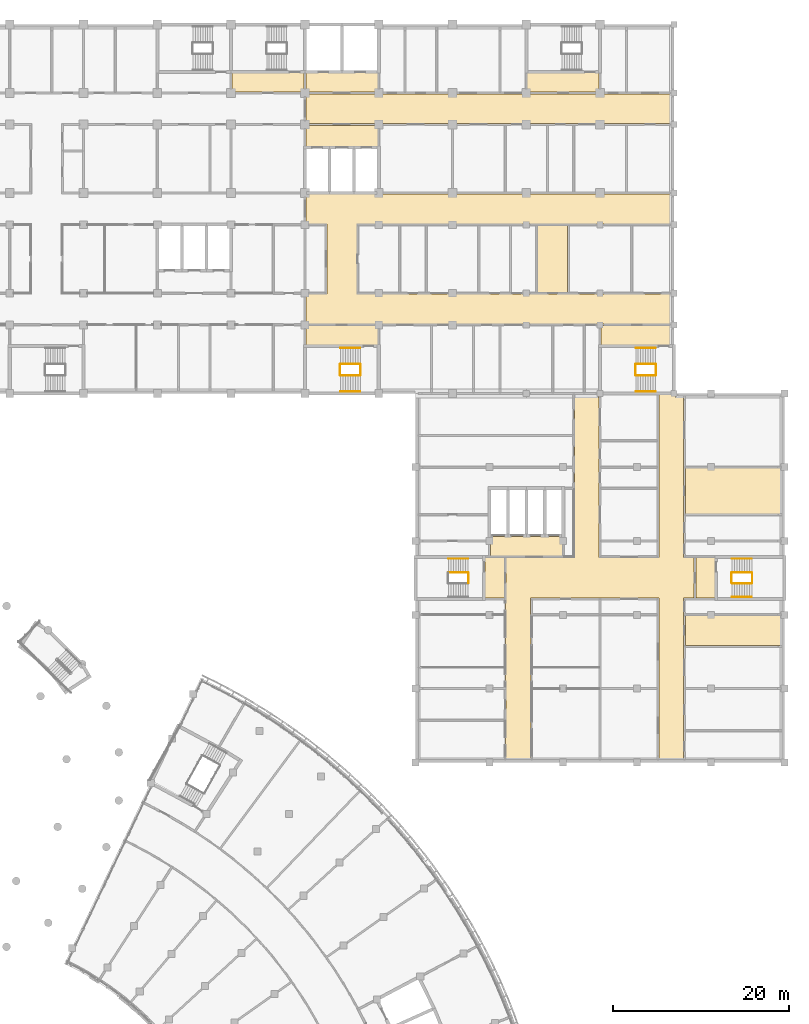
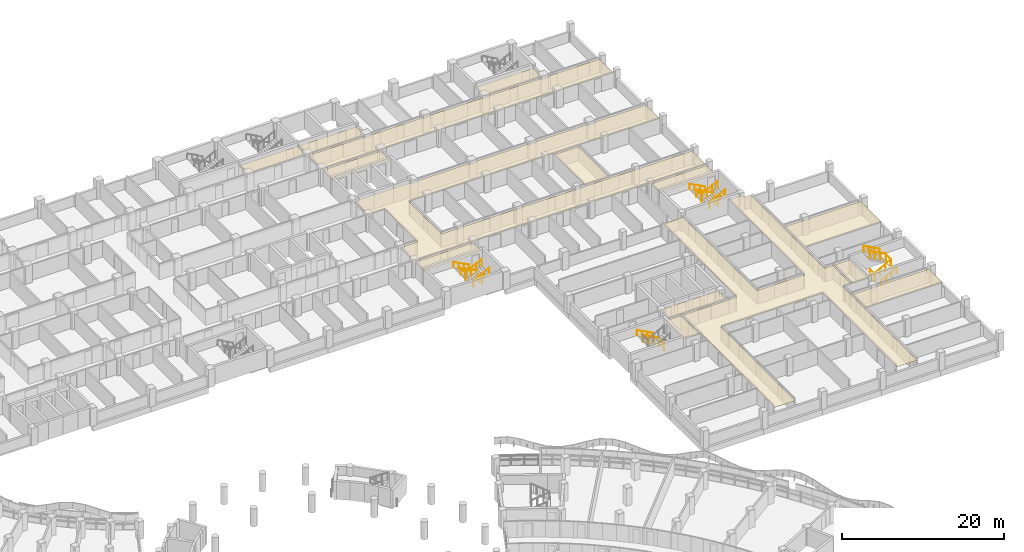
# One storey, part 87 of 89: 21 railings, 15 coverings.
"""IFC4 building model written with IfcOpenShell, lengths in metres."""

import ifcopenshell
import ifcopenshell.guid

model = None  # the IFC model being written
_history = None  # IfcOwnerHistory: only IFC2X3 demands one
_inside = {}  # id of a spatial element -> (the spatial element, [elements in it])
_under = {}  # id of a project, library or spatial element -> (it, [spatial elements below it])
_declared = {}  # id of a project -> (the project, [libraries it declares])
_typed = {}  # id of a type object -> (the type object, [elements of that type])
_made_of = {}  # id of a material, layer set ... -> (it, [elements and type objects made of it])


def new_model(schema):
    """Start an empty IFC model of exactly this schema.

    Asked for "IFC4X3", IfcOpenShell would pick the latest addendum, in which some entities
    have other attributes; the version numbers below select the first issue.
    IFC2X3 requires an IfcOwnerHistory on every rooted entity: one is made here for all.
    """
    global model, _history
    if schema == "IFC4X3":
        model = ifcopenshell.file(schema_version=(4, 3, 0, 0))
    else:
        model = ifcopenshell.file(schema=schema)
    _inside.clear()
    _under.clear()
    _declared.clear()
    _typed.clear()
    _made_of.clear()
    _history = None
    if model.schema == "IFC2X3":
        org = make("IfcOrganization", Name="unknown")
        user = make(
            "IfcPersonAndOrganization",
            ThePerson=make("IfcPerson", FamilyName="unknown"),
            TheOrganization=org,
        )
        app = make(
            "IfcApplication",
            ApplicationDeveloper=org,
            Version="unknown",
            ApplicationFullName="unknown",
            ApplicationIdentifier="unknown",
        )
        _history = make(
            "IfcOwnerHistory",
            OwningUser=user,
            OwningApplication=app,
            ChangeAction="ADDED",
            CreationDate=0,
        )
    return model


def make(cls, **values):
    """One entity of the class cls with the attributes given. An attribute that is None is left unset."""
    return model.create_entity(
        cls, **{name: value for name, value in values.items() if value is not None}
    )


def rooted(cls, **values):
    """An entity with a GlobalId (a new one), such as an element, a storey or a relation."""
    return make(cls, GlobalId=ifcopenshell.guid.new(), OwnerHistory=_history, **values)


def si_unit(unit_type, name, prefix=None):
    """IfcSIUnit, for example si_unit("LENGTHUNIT", "METRE", prefix="MILLI")."""
    return make("IfcSIUnit", UnitType=unit_type, Prefix=prefix, Name=name)


def assignment(units):
    """IfcUnitAssignment: the units of a project."""
    return None if units is None else make("IfcUnitAssignment", Units=units)


def point(xyz):
    """IfcCartesianPoint."""
    return None if xyz is None else make("IfcCartesianPoint", Coordinates=xyz)


def direction(xyz):
    """IfcDirection."""
    return None if xyz is None else make("IfcDirection", DirectionRatios=xyz)


def frame(location, z_axis=None, x_axis=None):
    """IfcAxis2Placement3D, a coordinate frame: its origin and axes. An axis left out is left unset."""
    return make(
        "IfcAxis2Placement3D",
        Location=point(location),
        Axis=direction(z_axis),
        RefDirection=direction(x_axis),
    )


def frame_2d(location, x_axis=None):
    """IfcAxis2Placement2D, a coordinate frame in the plane: its origin and x axis."""
    return make(
        "IfcAxis2Placement2D", Location=point(location), RefDirection=direction(x_axis)
    )


def origin():
    """The frame at (0, 0, 0) with its axes left unset."""
    return frame((0.0, 0.0, 0.0))


def origin_2d():
    """The frame at (0, 0) in the plane with its x axis left unset."""
    return frame_2d((0.0, 0.0))


def place(relative_to, where):
    """IfcLocalPlacement: puts the frame where relative to a parent placement (None: the world)."""
    return make(
        "IfcLocalPlacement", PlacementRelTo=relative_to, RelativePlacement=where
    )


def context(
    kind, dimensions, precision=None, world=None, true_north=None, identifier=None
):
    """IfcGeometricRepresentationContext, for example the 3D "Model" context."""
    return make(
        "IfcGeometricRepresentationContext",
        ContextIdentifier=identifier,
        ContextType=kind,
        CoordinateSpaceDimension=dimensions,
        Precision=precision,
        WorldCoordinateSystem=world,
        TrueNorth=true_north,
    )


def subcontext(parent, identifier, kind, view, scale=None):
    """IfcGeometricRepresentationSubContext, for example "Body" below "Model"."""
    return make(
        "IfcGeometricRepresentationSubContext",
        ContextIdentifier=identifier,
        ContextType=kind,
        ParentContext=parent,
        TargetScale=scale,
        TargetView=view,
    )


def project(units=None, contexts=None):
    """IfcProject with its units and contexts."""
    return rooted(
        "IfcProject",
        Name="project",
        RepresentationContexts=contexts,
        UnitsInContext=assignment(units),
    )


def spatial(cls, under=None, at=None, **own):
    """A site, building, storey or space (cls), placed at a placement, below another one or the project."""
    s = rooted(cls, ObjectPlacement=at, **own)
    if under is not None:
        _under.setdefault(under.id(), (under, []))[1].append(s)
    return s


def polyline(points):
    """IfcPolyline through the points."""
    return make("IfcPolyline", Points=[point(p) for p in points])


def profile(cls, at=None, kind="AREA", **sizes):
    """A parametric profile (cls). Its sizes go by their IFC names, for example OverallWidth=200.0."""
    return make(cls, ProfileType=kind, Position=at, **sizes)


def circle(**sizes):
    """IfcCircleProfileDef."""
    return profile("IfcCircleProfileDef", **sizes)


def outline(outer, holes=None, kind="AREA"):
    """IfcArbitraryClosedProfileDef: a profile drawn as a closed curve; with holes, ...WithVoids."""
    if holes is None:
        return make("IfcArbitraryClosedProfileDef", ProfileType=kind, OuterCurve=outer)
    return make(
        "IfcArbitraryProfileDefWithVoids",
        ProfileType=kind,
        OuterCurve=outer,
        InnerCurves=holes,
    )


def extrude(swept, where, along, depth):
    """IfcExtrudedAreaSolid: the profile swept, set in the frame where, extruded along a direction by depth."""
    return make(
        "IfcExtrudedAreaSolid",
        SweptArea=swept,
        Position=where,
        ExtrudedDirection=direction(along),
        Depth=depth,
    )


def shape(context_of_items, identifier, shape_type, items):
    """IfcShapeRepresentation: the items that make up one representation, for example the "Body"."""
    return make(
        "IfcShapeRepresentation",
        ContextOfItems=context_of_items,
        RepresentationIdentifier=identifier,
        RepresentationType=shape_type,
        Items=items,
    )


def material(Name=None, Category=None):
    """IfcMaterial."""
    return make("IfcMaterial", Name=Name, Category=Category)


def layer(
    of_material, thickness, ventilated=None, Name=None, Category=None, Priority=None
):
    """IfcMaterialLayer: one layer of a wall or slab, of a material (None: an air gap)."""
    return make(
        "IfcMaterialLayer",
        Material=of_material,
        LayerThickness=thickness,
        IsVentilated=ventilated,
        Name=Name,
        Category=Category,
        Priority=Priority,
    )


def layer_set(layers, Name=None):
    """IfcMaterialLayerSet."""
    return make("IfcMaterialLayerSet", MaterialLayers=layers, LayerSetName=Name)


def made_of(thing, what):
    """Note that an element or type object is made of a material, layer set ...; save() writes the relation."""
    if what is not None:
        _made_of.setdefault(what.id(), (what, []))[1].append(thing)
    return thing


def type_object(cls, material=None, **own):
    """A type object (cls), such as IfcWallType, which elements share."""
    return made_of(rooted(cls, **own), material)


def element(
    cls,
    number,
    at=None,
    inside=None,
    cuts=None,
    type_object=None,
    material=None,
    context=None,
    identifier="Body",
    shape_type=None,
    held_by="IfcProductDefinitionShape",
    body=None,
    shapes=None,
    **own,
):
    """One element of the class cls, such as IfcWall. Its Tag is "e" and its number.

    at: its placement. inside: the storey or other place that contains it. cuts: it is an
    opening in that element (IfcRelVoidsElement). A single representation is given by context,
    identifier, shape_type and body (its items); several are given by shapes. held_by: the class
    of the entity that holds the representations. save() writes the other relations.
    """
    e = rooted(cls, Tag="e%d" % number, ObjectPlacement=at, **own)
    if body is not None:
        shapes = [shape(context, identifier, shape_type, body)]
    if shapes is not None:
        e.Representation = make(held_by, Representations=shapes)
    if inside is not None:
        _inside.setdefault(inside.id(), (inside, []))[1].append(e)
    if cuts is not None:
        rooted(
            "IfcRelVoidsElement", RelatingBuildingElement=cuts, RelatedOpeningElement=e
        )
    if type_object is not None:
        _typed.setdefault(type_object.id(), (type_object, []))[1].append(e)
    return made_of(e, material)


def aggregate(whole, parts):
    """IfcRelAggregates: a whole, such as a stair, and the parts it consists of."""
    return rooted("IfcRelAggregates", RelatingObject=whole, RelatedObjects=parts)


def save(model, path):
    """Write the relations noted so far, then the file.

    IfcRelAggregates (storeys below a building ...), IfcRelContainedInSpatialStructure (elements
    in a storey), IfcRelDefinesByType, IfcRelAssociatesMaterial and IfcRelDeclares: one each for
    every whole, place, type object, material and project.
    """
    for whole, parts in _under.values():
        aggregate(whole, parts)
    for where, things in _inside.values():
        rooted(
            "IfcRelContainedInSpatialStructure",
            RelatedElements=things,
            RelatingStructure=where,
        )
    for kind, things in _typed.values():
        rooted("IfcRelDefinesByType", RelatedObjects=things, RelatingType=kind)
    for what, things in _made_of.values():
        rooted("IfcRelAssociatesMaterial", RelatedObjects=things, RelatingMaterial=what)
    for by, libraries in _declared.values():
        rooted("IfcRelDeclares", RelatingContext=by, RelatedDefinitions=libraries)
    model.write(path)


model = new_model("IFC4")

# Units and contexts
model_context = context("Model", 3, precision=1e-05, world=origin(), true_north=direction((0.0, 1.0)))
body_context = subcontext(model_context, "Body", "Model", "MODEL_VIEW")
ifc_project = project(units=[si_unit("LENGTHUNIT", "METRE"), si_unit("AREAUNIT", "SQUARE_METRE"), si_unit("VOLUMEUNIT", "CUBIC_METRE"), si_unit("PLANEANGLEUNIT", "RADIAN"), si_unit("MASSUNIT", "GRAM", prefix="KILO")], contexts=[model_context])

# Site, building, storey
site_placement = place(None, origin())
site = spatial("IfcSite", under=ifc_project, at=site_placement, CompositionType="ELEMENT")
building_placement = place(site_placement, origin())
building = spatial("IfcBuilding", under=site, at=building_placement, Name="Bougainvillea Quay General Hospital", CompositionType="ELEMENT")
storey_placement = place(building_placement, frame((0.0, 0.0, 9.89990234375)))
storey = spatial("IfcBuildingStorey", under=building, at=storey_placement, Name="L01M", CompositionType="ELEMENT", Elevation=9.89990234375)

# Railings
ifc_material_1 = material(Name="Stainless steel 304 balustrade", Category="steel")
railing_type_1 = type_object("IfcRailingType", Name="Stair guard 1100", PredefinedType="GUARDRAIL", material=ifc_material_1)
railing_1_placement = place(storey_placement, frame((191.10009765625, 120.949951171875, 0.150146484375)))
element("IfcRailing", 1, at=railing_1_placement, inside=storey, type_object=railing_type_1, Name="L01M ST-D4 stair guard 1", PredefinedType="GUARDRAIL", context=body_context, shape_type="SweptSolid", body=[
    extrude(circle(Radius=0.02392578125, at=origin_2d()), frame((0.0, 0.0, 1.076171875), z_axis=(-0.881487111273, 0.0, 0.472208081951), x_axis=(0.0, -1.0, 0.0)), (0.0, 0.0, 1.0), 2.541259765625),
    extrude(circle(Radius=0.02099609375, at=origin_2d()), origin(), (0.0, 0.0, 1.0), 1.052001953125),
    extrude(circle(Radius=0.02099609375, at=origin_2d()), frame((-0.74658203125, 0.0, 0.39990234375)), (0.0, 0.0, 1.0), 1.052001953125),
    extrude(circle(Radius=0.02099609375, at=origin_2d()), frame((-1.493408203125, 0.0, 0.800048828125)), (0.0, 0.0, 1.0), 1.052001953125),
    extrude(circle(Radius=0.02099609375, at=origin_2d()), frame((-2.239990234375, 0.0, 1.199951171875)), (0.0, 0.0, 1.0), 1.052001953125),
])
railing_2_placement = place(storey_placement, frame((188.81005859375, 120.89990234375, 1.35009765625)))
element("IfcRailing", 2, at=railing_2_placement, inside=storey, type_object=railing_type_1, Name="L01M ST-D4 stair guard 2", PredefinedType="GUARDRAIL", context=body_context, shape_type="SweptSolid", body=[
    extrude(circle(Radius=0.02392578125, at=origin_2d()), frame((0.0, 0.0, 1.076171875), z_axis=(0.0, -1.0, 0.0), x_axis=(1.0, 0.0, 0.0)), (0.0, 0.0, 1.0), 1.199951171875),
    extrude(circle(Radius=0.02099609375, at=origin_2d()), origin(), (0.0, 0.0, 1.0), 1.052001953125),
    extrude(circle(Radius=0.02099609375, at=origin_2d()), frame((0.0, -1.199951171875, 0.0)), (0.0, 0.0, 1.0), 1.052001953125),
])
railing_3_placement = place(storey_placement, frame((188.860107421875, 119.64990234375, 1.5)))
element("IfcRailing", 3, at=railing_3_placement, inside=storey, type_object=railing_type_1, Name="L01M ST-D4 stair guard 3", PredefinedType="GUARDRAIL", context=body_context, shape_type="SweptSolid", body=[
    extrude(circle(Radius=0.02392578125, at=origin_2d()), frame((0.0, 0.0, 1.076171875), z_axis=(0.881447119201, 0.0, 0.472282728937), x_axis=(0.0, 1.0, 0.0)), (0.0, 0.0, 1.0), 2.541259765625),
    extrude(circle(Radius=0.02099609375, at=origin_2d()), origin(), (0.0, 0.0, 1.0), 1.052001953125),
    extrude(circle(Radius=0.02099609375, at=origin_2d()), frame((0.74658203125, 0.0, 0.400146484375)), (0.0, 0.0, 1.0), 1.052001953125),
    extrude(circle(Radius=0.02099609375, at=origin_2d()), frame((1.493408203125, 0.0, 0.800048828125)), (0.0, 0.0, 1.0), 1.052001953125),
    extrude(circle(Radius=0.02099609375, at=origin_2d()), frame((2.239990234375, 0.0, 1.2001953125)), (0.0, 0.0, 1.0), 1.052001953125),
])
railing_4_placement = place(storey_placement, frame((191.14990234375, 120.89990234375, 0.0)))
element("IfcRailing", 4, at=railing_4_placement, inside=storey, type_object=railing_type_1, Name="L01M ST-D4 stair guard 4", PredefinedType="GUARDRAIL", context=body_context, shape_type="SweptSolid", body=[
    extrude(circle(Radius=0.02392578125, at=origin_2d()), frame((0.0, 0.0, 1.076171875), z_axis=(0.0, -1.0, 0.0), x_axis=(1.0, 0.0, 0.0)), (0.0, 0.0, 1.0), 1.199951171875),
    extrude(circle(Radius=0.02099609375, at=origin_2d()), origin(), (0.0, 0.0, 1.0), 1.052001953125),
    extrude(circle(Radius=0.02099609375, at=origin_2d()), frame((0.0, -1.199951171875, 0.0)), (0.0, 0.0, 1.0), 1.052001953125),
])
railing_5_placement = place(storey_placement, frame((169.77490234375, 97.22509765625, 0.150146484375)))
element("IfcRailing", 5, at=railing_5_placement, inside=storey, type_object=railing_type_1, Name="L01M ST-T1 stair guard 1", PredefinedType="GUARDRAIL", context=body_context, shape_type="SweptSolid", body=[
    extrude(circle(Radius=0.02392578125, at=origin_2d()), frame((0.0, 0.0, 1.076171875), z_axis=(-0.881487111273, 0.0, 0.472208081951), x_axis=(0.0, -1.0, 0.0)), (0.0, 0.0, 1.0), 2.541259765625),
    extrude(circle(Radius=0.02099609375, at=origin_2d()), origin(), (0.0, 0.0, 1.0), 1.052001953125),
    extrude(circle(Radius=0.02099609375, at=origin_2d()), frame((-0.74658203125, 0.0, 0.39990234375)), (0.0, 0.0, 1.0), 1.052001953125),
    extrude(circle(Radius=0.02099609375, at=origin_2d()), frame((-1.493408203125, 0.0, 0.800048828125)), (0.0, 0.0, 1.0), 1.052001953125),
    extrude(circle(Radius=0.02099609375, at=origin_2d()), frame((-2.239990234375, 0.0, 1.199951171875)), (0.0, 0.0, 1.0), 1.052001953125),
])
railing_6_placement = place(storey_placement, frame((169.824951171875, 97.175048828125, 0.0)))
element("IfcRailing", 6, at=railing_6_placement, inside=storey, type_object=railing_type_1, Name="L01M ST-T1 stair guard 4", PredefinedType="GUARDRAIL", context=body_context, shape_type="SweptSolid", body=[
    extrude(circle(Radius=0.02392578125, at=origin_2d()), frame((0.0, 0.0, 1.076171875), z_axis=(0.0, -1.0, 0.0), x_axis=(1.0, 0.0, 0.0)), (0.0, 0.0, 1.0), 1.150146484375),
    extrude(circle(Radius=0.02099609375, at=origin_2d()), origin(), (0.0, 0.0, 1.0), 1.052001953125),
    extrude(circle(Radius=0.02099609375, at=origin_2d()), frame((0.0, -1.150146484375, 0.0)), (0.0, 0.0, 1.0), 1.052001953125),
])
railing_7_placement = place(storey_placement, frame((199.824951171875, 95.97509765625, 0.150146484375)))
element("IfcRailing", 7, at=railing_7_placement, inside=storey, type_object=railing_type_1, Name="L01M ST-T2 stair guard 1", PredefinedType="GUARDRAIL", context=body_context, shape_type="SweptSolid", body=[
    extrude(circle(Radius=0.02392578125, at=origin_2d()), frame((0.0, 0.0, 1.076171875), z_axis=(0.881487111273, 0.0, 0.472208081951), x_axis=(0.0, 1.0, 0.0)), (0.0, 0.0, 1.0), 2.541259765625),
    extrude(circle(Radius=0.02099609375, at=origin_2d()), origin(), (0.0, 0.0, 1.0), 1.052001953125),
    extrude(circle(Radius=0.02099609375, at=origin_2d()), frame((0.74658203125, 0.0, 0.39990234375)), (0.0, 0.0, 1.0), 1.052001953125),
    extrude(circle(Radius=0.02099609375, at=origin_2d()), frame((1.493408203125, 0.0, 0.800048828125)), (0.0, 0.0, 1.0), 1.052001953125),
    extrude(circle(Radius=0.02099609375, at=origin_2d()), frame((2.239990234375, 0.0, 1.199951171875)), (0.0, 0.0, 1.0), 1.052001953125),
])
railing_8_placement = place(storey_placement, frame((202.114990234375, 96.02490234375, 1.35009765625)))
element("IfcRailing", 8, at=railing_8_placement, inside=storey, type_object=railing_type_1, Name="L01M ST-T2 stair guard 2", PredefinedType="GUARDRAIL", context=body_context, shape_type="SweptSolid", body=[
    extrude(circle(Radius=0.02392578125, at=origin_2d()), frame((0.0, 0.0, 1.076171875), z_axis=(0.0, 1.0, 0.0), x_axis=(-1.0, 0.0, 0.0)), (0.0, 0.0, 1.0), 1.150146484375),
    extrude(circle(Radius=0.02099609375, at=origin_2d()), origin(), (0.0, 0.0, 1.0), 1.052001953125),
    extrude(circle(Radius=0.02099609375, at=origin_2d()), frame((0.0, 1.150146484375, 0.0)), (0.0, 0.0, 1.0), 1.052001953125),
])
railing_9_placement = place(storey_placement, frame((202.06494140625, 97.22509765625, 1.5)))
element("IfcRailing", 9, at=railing_9_placement, inside=storey, type_object=railing_type_1, Name="L01M ST-T2 stair guard 3", PredefinedType="GUARDRAIL", context=body_context, shape_type="SweptSolid", body=[
    extrude(circle(Radius=0.02392578125, at=origin_2d()), frame((0.0, 0.0, 1.076171875), z_axis=(-0.881447119201, 0.0, 0.472282728937), x_axis=(0.0, -1.0, 0.0)), (0.0, 0.0, 1.0), 2.541259765625),
    extrude(circle(Radius=0.02099609375, at=origin_2d()), origin(), (0.0, 0.0, 1.0), 1.052001953125),
    extrude(circle(Radius=0.02099609375, at=origin_2d()), frame((-0.74658203125, 0.0, 0.400146484375)), (0.0, 0.0, 1.0), 1.052001953125),
    extrude(circle(Radius=0.02099609375, at=origin_2d()), frame((-1.493408203125, 0.0, 0.800048828125)), (0.0, 0.0, 1.0), 1.052001953125),
    extrude(circle(Radius=0.02099609375, at=origin_2d()), frame((-2.239990234375, 0.0, 1.2001953125)), (0.0, 0.0, 1.0), 1.052001953125),
])
railing_10_placement = place(storey_placement, frame((199.77490234375, 96.02490234375, 0.0)))
element("IfcRailing", 10, at=railing_10_placement, inside=storey, type_object=railing_type_1, Name="L01M ST-T2 stair guard 4", PredefinedType="GUARDRAIL", context=body_context, shape_type="SweptSolid", body=[
    extrude(circle(Radius=0.02392578125, at=origin_2d()), frame((0.0, 0.0, 1.076171875), z_axis=(0.0, 1.0, 0.0), x_axis=(-1.0, 0.0, 0.0)), (0.0, 0.0, 1.0), 1.150146484375),
    extrude(circle(Radius=0.02099609375, at=origin_2d()), origin(), (0.0, 0.0, 1.0), 1.052001953125),
    extrude(circle(Radius=0.02099609375, at=origin_2d()), frame((0.0, 1.150146484375, 0.0)), (0.0, 0.0, 1.0), 1.052001953125),
])
railing_11_placement = place(storey_placement, frame((157.5, 120.949951171875, 0.150146484375)))
element("IfcRailing", 11, at=railing_11_placement, inside=storey, type_object=railing_type_1, Name="L01M ST-B4 stair guard 1", PredefinedType="GUARDRAIL", context=body_context, shape_type="SweptSolid", body=[
    extrude(circle(Radius=0.02392578125, at=origin_2d()), frame((0.0, 0.0, 1.076171875), z_axis=(-0.881487111273, 0.0, 0.472208081951), x_axis=(0.0, -1.0, 0.0)), (0.0, 0.0, 1.0), 2.541259765625),
    extrude(circle(Radius=0.02099609375, at=origin_2d()), origin(), (0.0, 0.0, 1.0), 1.052001953125),
    extrude(circle(Radius=0.02099609375, at=origin_2d()), frame((-0.74658203125, 0.0, 0.39990234375)), (0.0, 0.0, 1.0), 1.052001953125),
    extrude(circle(Radius=0.02099609375, at=origin_2d()), frame((-1.493408203125, 0.0, 0.800048828125)), (0.0, 0.0, 1.0), 1.052001953125),
    extrude(circle(Radius=0.02099609375, at=origin_2d()), frame((-2.239990234375, 0.0, 1.199951171875)), (0.0, 0.0, 1.0), 1.052001953125),
])
railing_12_placement = place(storey_placement, frame((155.2099609375, 120.89990234375, 1.35009765625)))
element("IfcRailing", 12, at=railing_12_placement, inside=storey, type_object=railing_type_1, Name="L01M ST-B4 stair guard 2", PredefinedType="GUARDRAIL", context=body_context, shape_type="SweptSolid", body=[
    extrude(circle(Radius=0.02392578125, at=origin_2d()), frame((0.0, 0.0, 1.076171875), z_axis=(0.0, -1.0, 0.0), x_axis=(1.0, 0.0, 0.0)), (0.0, 0.0, 1.0), 1.199951171875),
    extrude(circle(Radius=0.02099609375, at=origin_2d()), origin(), (0.0, 0.0, 1.0), 1.052001953125),
    extrude(circle(Radius=0.02099609375, at=origin_2d()), frame((0.0, -1.199951171875, 0.0)), (0.0, 0.0, 1.0), 1.052001953125),
])
railing_13_placement = place(storey_placement, frame((155.260009765625, 119.64990234375, 1.5)))
element("IfcRailing", 13, at=railing_13_placement, inside=storey, type_object=railing_type_1, Name="L01M ST-B4 stair guard 3", PredefinedType="GUARDRAIL", context=body_context, shape_type="SweptSolid", body=[
    extrude(circle(Radius=0.02392578125, at=origin_2d()), frame((0.0, 0.0, 1.076171875), z_axis=(0.881447119201, 0.0, 0.472282728937), x_axis=(0.0, 1.0, 0.0)), (0.0, 0.0, 1.0), 2.541259765625),
    extrude(circle(Radius=0.02099609375, at=origin_2d()), origin(), (0.0, 0.0, 1.0), 1.052001953125),
    extrude(circle(Radius=0.02099609375, at=origin_2d()), frame((0.74658203125, 0.0, 0.400146484375)), (0.0, 0.0, 1.0), 1.052001953125),
    extrude(circle(Radius=0.02099609375, at=origin_2d()), frame((1.493408203125, 0.0, 0.800048828125)), (0.0, 0.0, 1.0), 1.052001953125),
    extrude(circle(Radius=0.02099609375, at=origin_2d()), frame((2.239990234375, 0.0, 1.2001953125)), (0.0, 0.0, 1.0), 1.052001953125),
])
railing_14_placement = place(storey_placement, frame((157.550048828125, 120.89990234375, 0.0)))
element("IfcRailing", 14, at=railing_14_placement, inside=storey, type_object=railing_type_1, Name="L01M ST-B4 stair guard 4", PredefinedType="GUARDRAIL", context=body_context, shape_type="SweptSolid", body=[
    extrude(circle(Radius=0.02392578125, at=origin_2d()), frame((0.0, 0.0, 1.076171875), z_axis=(0.0, -1.0, 0.0), x_axis=(1.0, 0.0, 0.0)), (0.0, 0.0, 1.0), 1.199951171875),
    extrude(circle(Radius=0.02099609375, at=origin_2d()), origin(), (0.0, 0.0, 1.0), 1.052001953125),
    extrude(circle(Radius=0.02099609375, at=origin_2d()), frame((0.0, -1.199951171875, 0.0)), (0.0, 0.0, 1.0), 1.052001953125),
])
ifc_material_2 = material(Name="Stainless steel 304 handrail", Category="steel")
railing_type_2 = type_object("IfcRailingType", Name="Stair handrail 900", PredefinedType="HANDRAIL", material=ifc_material_2)
railing_15_placement = place(storey_placement, frame((191.10009765625, 122.77490234375, 0.150146484375)))
element("IfcRailing", 15, at=railing_15_placement, inside=storey, type_object=railing_type_2, Name="L01M ST-D4 stair handrail 1", PredefinedType="HANDRAIL", context=body_context, shape_type="SweptSolid", body=[
    extrude(circle(Radius=0.02392578125, at=origin_2d()), frame((0.0, 0.0, 0.8759765625), z_axis=(-0.881487111273, 0.0, 0.472208081951), x_axis=(0.0, -1.0, 0.0)), (0.0, 0.0, 1.0), 2.541259765625),
    extrude(circle(Radius=0.02099609375, at=origin_2d()), origin(), (0.0, 0.0, 1.0), 0.851806640625),
    extrude(circle(Radius=0.02099609375, at=origin_2d()), frame((-0.74658203125, 0.0, 0.39990234375)), (0.0, 0.0, 1.0), 0.851806640625),
    extrude(circle(Radius=0.02099609375, at=origin_2d()), frame((-1.493408203125, 0.0, 0.800048828125)), (0.0, 0.0, 1.0), 0.851806640625),
    extrude(circle(Radius=0.02099609375, at=origin_2d()), frame((-2.239990234375, 0.0, 1.199951171875)), (0.0, 0.0, 1.0), 0.851806640625),
])
railing_16_placement = place(storey_placement, frame((188.860107421875, 117.824951171875, 1.5)))
element("IfcRailing", 16, at=railing_16_placement, inside=storey, type_object=railing_type_2, Name="L01M ST-D4 stair handrail 2", PredefinedType="HANDRAIL", context=body_context, shape_type="SweptSolid", body=[
    extrude(circle(Radius=0.02392578125, at=origin_2d()), frame((0.0, 0.0, 0.8759765625), z_axis=(0.881447119201, 0.0, 0.472282728937), x_axis=(0.0, 1.0, 0.0)), (0.0, 0.0, 1.0), 2.541259765625),
    extrude(circle(Radius=0.02099609375, at=origin_2d()), origin(), (0.0, 0.0, 1.0), 0.851806640625),
    extrude(circle(Radius=0.02099609375, at=origin_2d()), frame((0.74658203125, 0.0, 0.400146484375)), (0.0, 0.0, 1.0), 0.851806640625),
    extrude(circle(Radius=0.02099609375, at=origin_2d()), frame((1.493408203125, 0.0, 0.800048828125)), (0.0, 0.0, 1.0), 0.851806640625),
    extrude(circle(Radius=0.02099609375, at=origin_2d()), frame((2.239990234375, 0.0, 1.2001953125)), (0.0, 0.0, 1.0), 0.851806640625),
])
railing_17_placement = place(storey_placement, frame((169.77490234375, 98.77490234375, 0.150146484375)))
element("IfcRailing", 17, at=railing_17_placement, inside=storey, type_object=railing_type_2, Name="L01M ST-T1 stair handrail 1", PredefinedType="HANDRAIL", context=body_context, shape_type="SweptSolid", body=[
    extrude(circle(Radius=0.02392578125, at=origin_2d()), frame((0.0, 0.0, 0.8759765625), z_axis=(-0.881487111273, 0.0, 0.472208081951), x_axis=(0.0, -1.0, 0.0)), (0.0, 0.0, 1.0), 2.541259765625),
    extrude(circle(Radius=0.02099609375, at=origin_2d()), origin(), (0.0, 0.0, 1.0), 0.851806640625),
    extrude(circle(Radius=0.02099609375, at=origin_2d()), frame((-0.74658203125, 0.0, 0.39990234375)), (0.0, 0.0, 1.0), 0.851806640625),
    extrude(circle(Radius=0.02099609375, at=origin_2d()), frame((-1.493408203125, 0.0, 0.800048828125)), (0.0, 0.0, 1.0), 0.851806640625),
    extrude(circle(Radius=0.02099609375, at=origin_2d()), frame((-2.239990234375, 0.0, 1.199951171875)), (0.0, 0.0, 1.0), 0.851806640625),
])
railing_18_placement = place(storey_placement, frame((199.824951171875, 94.425048828125, 0.150146484375)))
element("IfcRailing", 18, at=railing_18_placement, inside=storey, type_object=railing_type_2, Name="L01M ST-T2 stair handrail 1", PredefinedType="HANDRAIL", context=body_context, shape_type="SweptSolid", body=[
    extrude(circle(Radius=0.02392578125, at=origin_2d()), frame((0.0, 0.0, 0.8759765625), z_axis=(0.881487111273, 0.0, 0.472208081951), x_axis=(0.0, 1.0, 0.0)), (0.0, 0.0, 1.0), 2.541259765625),
    extrude(circle(Radius=0.02099609375, at=origin_2d()), origin(), (0.0, 0.0, 1.0), 0.851806640625),
    extrude(circle(Radius=0.02099609375, at=origin_2d()), frame((0.74658203125, 0.0, 0.39990234375)), (0.0, 0.0, 1.0), 0.851806640625),
    extrude(circle(Radius=0.02099609375, at=origin_2d()), frame((1.493408203125, 0.0, 0.800048828125)), (0.0, 0.0, 1.0), 0.851806640625),
    extrude(circle(Radius=0.02099609375, at=origin_2d()), frame((2.239990234375, 0.0, 1.199951171875)), (0.0, 0.0, 1.0), 0.851806640625),
])
railing_19_placement = place(storey_placement, frame((202.06494140625, 98.77490234375, 1.5)))
element("IfcRailing", 19, at=railing_19_placement, inside=storey, type_object=railing_type_2, Name="L01M ST-T2 stair handrail 2", PredefinedType="HANDRAIL", context=body_context, shape_type="SweptSolid", body=[
    extrude(circle(Radius=0.02392578125, at=origin_2d()), frame((0.0, 0.0, 0.8759765625), z_axis=(-0.881447119201, 0.0, 0.472282728937), x_axis=(0.0, -1.0, 0.0)), (0.0, 0.0, 1.0), 2.541259765625),
    extrude(circle(Radius=0.02099609375, at=origin_2d()), origin(), (0.0, 0.0, 1.0), 0.851806640625),
    extrude(circle(Radius=0.02099609375, at=origin_2d()), frame((-0.74658203125, 0.0, 0.400146484375)), (0.0, 0.0, 1.0), 0.851806640625),
    extrude(circle(Radius=0.02099609375, at=origin_2d()), frame((-1.493408203125, 0.0, 0.800048828125)), (0.0, 0.0, 1.0), 0.851806640625),
    extrude(circle(Radius=0.02099609375, at=origin_2d()), frame((-2.239990234375, 0.0, 1.2001953125)), (0.0, 0.0, 1.0), 0.851806640625),
])
railing_20_placement = place(storey_placement, frame((157.5, 122.77490234375, 0.150146484375)))
element("IfcRailing", 20, at=railing_20_placement, inside=storey, type_object=railing_type_2, Name="L01M ST-B4 stair handrail 1", PredefinedType="HANDRAIL", context=body_context, shape_type="SweptSolid", body=[
    extrude(circle(Radius=0.02392578125, at=origin_2d()), frame((0.0, 0.0, 0.8759765625), z_axis=(-0.881487111273, 0.0, 0.472208081951), x_axis=(0.0, -1.0, 0.0)), (0.0, 0.0, 1.0), 2.541259765625),
    extrude(circle(Radius=0.02099609375, at=origin_2d()), origin(), (0.0, 0.0, 1.0), 0.851806640625),
    extrude(circle(Radius=0.02099609375, at=origin_2d()), frame((-0.74658203125, 0.0, 0.39990234375)), (0.0, 0.0, 1.0), 0.851806640625),
    extrude(circle(Radius=0.02099609375, at=origin_2d()), frame((-1.493408203125, 0.0, 0.800048828125)), (0.0, 0.0, 1.0), 0.851806640625),
    extrude(circle(Radius=0.02099609375, at=origin_2d()), frame((-2.239990234375, 0.0, 1.199951171875)), (0.0, 0.0, 1.0), 0.851806640625),
])
railing_21_placement = place(storey_placement, frame((155.260009765625, 117.824951171875, 1.5)))
element("IfcRailing", 21, at=railing_21_placement, inside=storey, type_object=railing_type_2, Name="L01M ST-B4 stair handrail 2", PredefinedType="HANDRAIL", context=body_context, shape_type="SweptSolid", body=[
    extrude(circle(Radius=0.02392578125, at=origin_2d()), frame((0.0, 0.0, 0.8759765625), z_axis=(0.881447119201, 0.0, 0.472282728937), x_axis=(0.0, 1.0, 0.0)), (0.0, 0.0, 1.0), 2.541259765625),
    extrude(circle(Radius=0.02099609375, at=origin_2d()), origin(), (0.0, 0.0, 1.0), 0.851806640625),
    extrude(circle(Radius=0.02099609375, at=origin_2d()), frame((0.74658203125, 0.0, 0.400146484375)), (0.0, 0.0, 1.0), 0.851806640625),
    extrude(circle(Radius=0.02099609375, at=origin_2d()), frame((1.493408203125, 0.0, 0.800048828125)), (0.0, 0.0, 1.0), 0.851806640625),
    extrude(circle(Radius=0.02099609375, at=origin_2d()), frame((2.239990234375, 0.0, 1.2001953125)), (0.0, 0.0, 1.0), 0.851806640625),
])

# Coverings
ifc_material_3 = material(Name="Mineral fibre ceiling tile")
ifc_layer = layer(ifc_material_3, 0.030029296875)
ifc_layer_set = layer_set([ifc_layer], Name="Mineral fibre ceiling tile")
covering_type = type_object("IfcCoveringType", Name="Suspended ceiling mineral fibre tile", PredefinedType="CEILING", material=ifc_layer_set)
covering_1_placement = place(storey_placement, frame((0.0, 0.0, 2.050048828125)))
element("IfcCovering", 22, at=covering_1_placement, inside=storey, type_object=covering_type, Name="Ceiling Corridor V3-1", PredefinedType="CEILING", context=body_context, shape_type="SweptSolid", body=[
    extrude(outline(polyline([(191.5, 76.050048828125), (194.300048828125, 76.050048828125), (194.300048828125, 94.300048828125), (195.5, 94.300048828125), (195.5, 98.89990234375), (194.300048828125, 98.89990234375), (194.300048828125, 117.14990234375), (193.375, 117.14990234375), (193.375, 117.550048828125), (191.5, 117.550048828125), (191.5, 98.89990234375), (184.699951171875, 98.89990234375), (184.699951171875, 117.5), (184.625, 117.5), (184.625, 117.14990234375), (181.89990234375, 117.14990234375), (181.89990234375, 106.699951171875), (181.85009765625, 106.699951171875), (181.85009765625, 98.949951171875), (180.699951171875, 98.949951171875), (180.699951171875, 98.89990234375), (174.10009765625, 98.89990234375), (174.10009765625, 94.10009765625), (174.050048828125, 94.10009765625), (174.050048828125, 84.10009765625), (174.10009765625, 84.10009765625), (174.10009765625, 80.300048828125), (174.050048828125, 80.300048828125), (174.050048828125, 76.050048828125), (176.949951171875, 76.050048828125), (176.949951171875, 92.300048828125), (176.89990234375, 92.300048828125), (176.89990234375, 94.300048828125), (191.5, 94.300048828125), (191.5, 76.050048828125)])), origin(), (0.0, 0.0, 1.0), 0.030029296875),
])
covering_2_placement = place(storey_placement, frame((0.0, 0.0, 2.050048828125)))
element("IfcCovering", 23, at=covering_2_placement, inside=storey, type_object=covering_type, Name="Ceiling Corridor V4-2", PredefinedType="CEILING", context=body_context, shape_type="SweptSolid", body=[
    extrude(outline(polyline([(192.75, 136.89990234375), (192.75, 140.300048828125), (159.5, 140.300048828125), (159.5, 140.35009765625), (151.300048828125, 140.35009765625), (151.300048828125, 136.89990234375), (153.699951171875, 136.89990234375), (153.699951171875, 128.89990234375), (151.300048828125, 128.89990234375), (151.300048828125, 125.5), (192.75, 125.5), (192.75, 128.89990234375), (157.10009765625, 128.89990234375), (157.10009765625, 136.89990234375), (192.75, 136.89990234375)])), origin(), (0.0, 0.0, 1.0), 0.030029296875),
])
covering_3_placement = place(storey_placement, frame((0.0, 0.0, 2.050048828125)))
element("IfcCovering", 24, at=covering_3_placement, inside=storey, type_object=covering_type, Name="Ceiling Corridor V4-3", PredefinedType="CEILING", context=body_context, shape_type="SweptSolid", body=[
    extrude(outline(polyline([(192.75, 148.300048828125), (192.75, 151.699951171875), (151.300048828125, 151.699951171875), (151.300048828125, 148.300048828125), (192.75, 148.300048828125)])), origin(), (0.0, 0.0, 1.0), 0.030029296875),
])
covering_4_placement = place(storey_placement, frame((0.0, 0.0, 2.050048828125)))
element("IfcCovering", 25, at=covering_4_placement, inside=storey, type_object=covering_type, Name="Ceiling Fire Lift Lobby LB-A2", PredefinedType="CEILING", context=body_context, shape_type="SweptSolid", body=[
    extrude(outline(polyline([(159.5, 148.10009765625), (151.300048828125, 148.10009765625), (151.300048828125, 145.699951171875), (159.5, 145.699951171875), (159.5, 148.10009765625)])), origin(), (0.0, 0.0, 1.0), 0.030029296875),
])
covering_5_placement = place(storey_placement, frame((0.0, 0.0, 2.050048828125)))
element("IfcCovering", 26, at=covering_5_placement, inside=storey, type_object=covering_type, Name="Ceiling Lift Lobby LB-S1", PredefinedType="CEILING", context=body_context, shape_type="SweptSolid", body=[
    extrude(outline(polyline([(159.5, 154.10009765625), (151.300048828125, 154.10009765625), (151.300048828125, 151.89990234375), (159.5, 151.89990234375), (159.5, 154.10009765625)])), origin(), (0.0, 0.0, 1.0), 0.030029296875),
])
covering_6_placement = place(storey_placement, frame((0.0, 0.0, 2.050048828125)))
element("IfcCovering", 27, at=covering_6_placement, inside=storey, type_object=covering_type, Name="Ceiling Lift Lobby LB-T1", PredefinedType="CEILING", context=body_context, shape_type="SweptSolid", body=[
    extrude(outline(polyline([(172.300048828125, 101.300048828125), (172.300048828125, 99.10009765625), (180.5, 99.10009765625), (180.5, 101.300048828125), (172.300048828125, 101.300048828125)])), origin(), (0.0, 0.0, 1.0), 0.030029296875),
])
covering_7_placement = place(storey_placement, frame((0.0, 0.0, 2.050048828125)))
element("IfcCovering", 28, at=covering_7_placement, inside=storey, type_object=covering_type, Name="Ceiling Smoke-proof Stair Vestibule ST-A4", PredefinedType="CEILING", context=body_context, shape_type="SweptSolid", body=[
    extrude(outline(polyline([(184.699951171875, 154.10009765625), (176.5, 154.10009765625), (176.5, 151.89990234375), (184.699951171875, 151.89990234375), (184.699951171875, 154.10009765625)])), origin(), (0.0, 0.0, 1.0), 0.030029296875),
])
covering_8_placement = place(storey_placement, frame((0.0, 0.0, 2.050048828125)))
element("IfcCovering", 29, at=covering_8_placement, inside=storey, type_object=covering_type, Name="Ceiling Smoke-proof Stair Vestibule ST-B4", PredefinedType="CEILING", context=body_context, shape_type="SweptSolid", body=[
    extrude(outline(polyline([(159.5, 123.10009765625), (159.5, 125.300048828125), (151.300048828125, 125.300048828125), (151.300048828125, 123.10009765625), (159.5, 123.10009765625)])), origin(), (0.0, 0.0, 1.0), 0.030029296875),
])
covering_9_placement = place(storey_placement, frame((0.0, 0.0, 2.050048828125)))
element("IfcCovering", 30, at=covering_9_placement, inside=storey, type_object=covering_type, Name="Ceiling Smoke-proof Stair Vestibule ST-D3", PredefinedType="CEILING", context=body_context, shape_type="SweptSolid", body=[
    extrude(outline(polyline([(142.89990234375, 151.89990234375), (151.10009765625, 151.89990234375), (151.10009765625, 154.10009765625), (142.89990234375, 154.10009765625), (142.89990234375, 151.89990234375)])), origin(), (0.0, 0.0, 1.0), 0.030029296875),
])
covering_10_placement = place(storey_placement, frame((0.0, 0.0, 2.050048828125)))
element("IfcCovering", 31, at=covering_10_placement, inside=storey, type_object=covering_type, Name="Ceiling Smoke-proof Stair Vestibule ST-D4", PredefinedType="CEILING", context=body_context, shape_type="SweptSolid", body=[
    extrude(outline(polyline([(193.199951171875, 123.10009765625), (193.199951171875, 123.175048828125), (192.75, 123.175048828125), (192.75, 125.300048828125), (184.89990234375, 125.300048828125), (184.89990234375, 123.10009765625), (193.199951171875, 123.10009765625)])), origin(), (0.0, 0.0, 1.0), 0.030029296875),
])
covering_11_placement = place(storey_placement, frame((0.0, 0.0, 2.050048828125)))
element("IfcCovering", 32, at=covering_11_placement, inside=storey, type_object=covering_type, Name="Ceiling Smoke-proof Stair Vestibule ST-T1", PredefinedType="CEILING", context=body_context, shape_type="SweptSolid", body=[
    extrude(outline(polyline([(173.89990234375, 94.300048828125), (173.89990234375, 98.89990234375), (171.699951171875, 98.89990234375), (171.699951171875, 94.300048828125), (173.89990234375, 94.300048828125)])), origin(), (0.0, 0.0, 1.0), 0.030029296875),
])
covering_12_placement = place(storey_placement, frame((0.0, 0.0, 2.050048828125)))
element("IfcCovering", 33, at=covering_12_placement, inside=storey, type_object=covering_type, Name="Ceiling Smoke-proof Stair Vestibule ST-T2", PredefinedType="CEILING", context=body_context, shape_type="SweptSolid", body=[
    extrude(outline(polyline([(197.89990234375, 98.89990234375), (195.699951171875, 98.89990234375), (195.699951171875, 94.300048828125), (197.89990234375, 94.300048828125), (197.89990234375, 98.89990234375)])), origin(), (0.0, 0.0, 1.0), 0.030029296875),
])
covering_13_placement = place(storey_placement, frame((0.0, 0.0, 2.050048828125)))
element("IfcCovering", 34, at=covering_13_placement, inside=storey, type_object=covering_type, Name="Ceiling Filter Store", PredefinedType="CEILING", context=body_context, shape_type="SweptSolid", body=[
    extrude(outline(polyline([(205.35009765625, 88.89990234375), (205.35009765625, 92.300048828125), (194.5, 92.300048828125), (194.5, 88.89990234375), (205.35009765625, 88.89990234375)])), origin(), (0.0, 0.0, 1.0), 0.030029296875),
])
covering_14_placement = place(storey_placement, frame((0.0, 0.0, 2.050048828125)))
element("IfcCovering", 35, at=covering_14_placement, inside=storey, type_object=covering_type, Name="Ceiling Lighting Control Room", PredefinedType="CEILING", context=body_context, shape_type="SweptSolid", body=[
    extrude(outline(polyline([(205.35009765625, 103.89990234375), (205.35009765625, 109.10009765625), (194.5, 109.10009765625), (194.5, 103.89990234375), (205.35009765625, 103.89990234375)])), origin(), (0.0, 0.0, 1.0), 0.030029296875),
])
covering_15_placement = place(storey_placement, frame((0.0, 0.0, 2.050048828125)))
element("IfcCovering", 36, at=covering_15_placement, inside=storey, type_object=covering_type, Name="Ceiling Lighting Control Room", PredefinedType="CEILING", context=body_context, shape_type="SweptSolid", body=[
    extrude(outline(polyline([(181.10009765625, 129.10009765625), (181.10009765625, 136.699951171875), (177.699951171875, 136.699951171875), (177.699951171875, 129.10009765625), (181.10009765625, 129.10009765625)])), origin(), (0.0, 0.0, 1.0), 0.030029296875),
])

save(model, "model.ifc")
